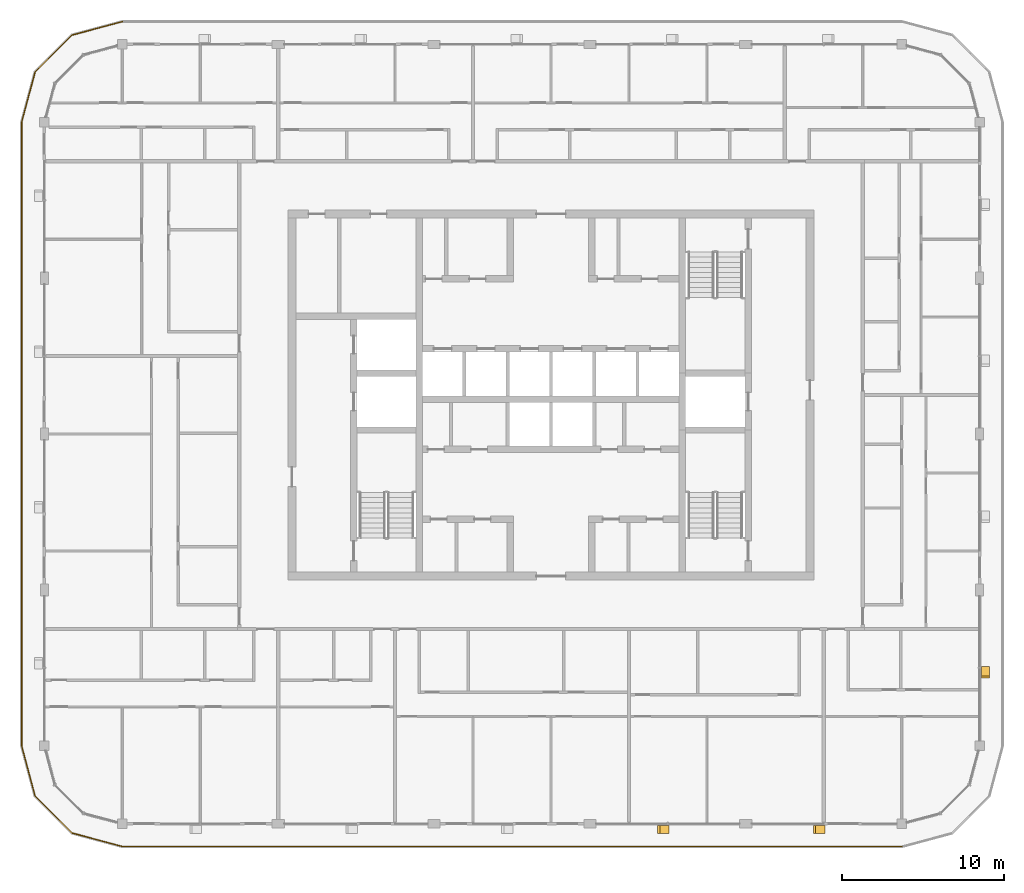
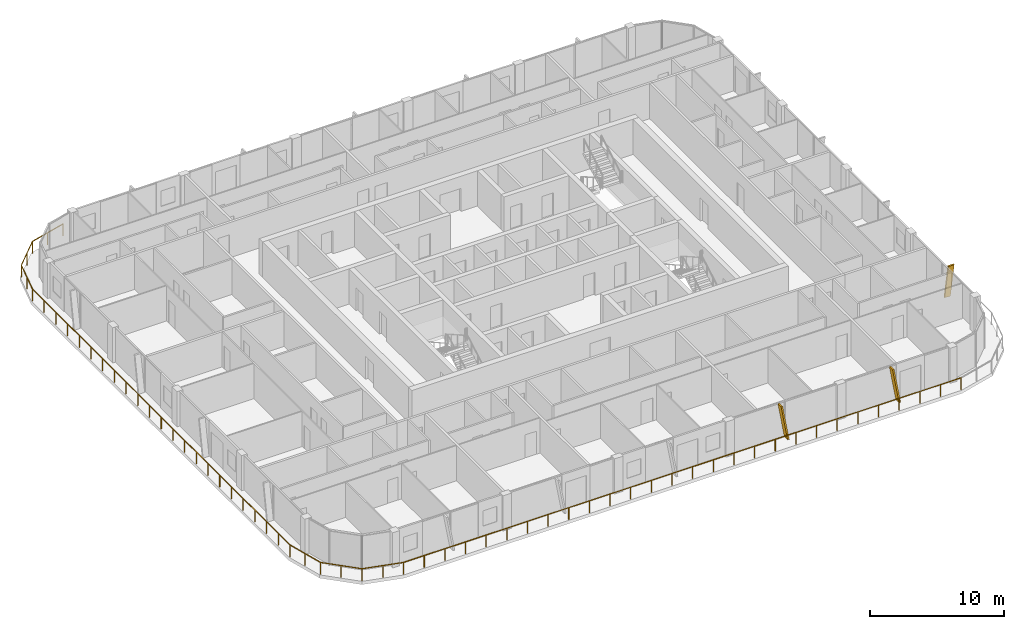
# One storey, part 19 of 22: 3 shading devices, 1 railing.
"""IFC4 building model written with IfcOpenShell, lengths in metres."""

from ifc_helpers import new_model, si_unit, direction, frame, origin, origin_2d, place, context, subcontext, project, spatial, polyline, circle, outline, extrude, material, type_object, element, save


model = new_model("IFC4")

# Units and contexts
model_context = context("Model", 3, precision=1e-05, world=origin(), true_north=direction((0.0, 1.0)))
body_context = subcontext(model_context, "Body", "Model", "MODEL_VIEW")
ifc_project = project(units=[si_unit("LENGTHUNIT", "METRE"), si_unit("AREAUNIT", "SQUARE_METRE"), si_unit("VOLUMEUNIT", "CUBIC_METRE"), si_unit("PLANEANGLEUNIT", "RADIAN"), si_unit("MASSUNIT", "GRAM", prefix="KILO")], contexts=[model_context])

# Site, building, storey
site_placement = place(None, origin())
site = spatial("IfcSite", under=ifc_project, at=site_placement, CompositionType="ELEMENT")
building_placement = place(site_placement, origin())
building = spatial("IfcBuilding", under=site, at=building_placement, Name="Madar Terraces", CompositionType="ELEMENT")
storey_placement = place(building_placement, frame((0.0, 0.0, 279.10009765625)))
storey = spatial("IfcBuildingStorey", under=building, at=storey_placement, Name="L73", CompositionType="ELEMENT", Elevation=279.10009765625)

# Railing
ifc_material_1 = material(Name="Glass, safety glazing, with stainless steel posts", Category="steel")
railing_type = type_object("IfcRailingType", Name="Balcony glass guard 1100", PredefinedType="GUARDRAIL", material=ifc_material_1)
railing_placement = place(storey_placement, frame((4.800048828125, 49.39990234375, 0.0)))
element("IfcRailing", 1, at=railing_placement, inside=storey, type_object=railing_type, Name="Balcony guard", PredefinedType="GUARDRAIL", context=body_context, shape_type="SweptSolid", body=[
    extrude(circle(Radius=0.02392578125, at=origin_2d()), frame((0.0, 0.0, 1.076171875), z_axis=(-0.9659337912, -0.258789317819, 0.0), x_axis=(0.258789317819, -0.9659337912, 0.0)), (0.0, 0.0, 1.0), 3.20947265625),
    extrude(circle(Radius=0.02392578125, at=origin_2d()), frame((-3.10009765625, -0.83056640625, 1.076171875), z_axis=(-0.707106781187, -0.707106781187, 0.0), x_axis=(0.707106781187, -0.707106781187, 0.0)), (0.0, 0.0, 1.0), 3.209228515625),
    extrude(circle(Radius=0.02392578125, at=origin_2d()), frame((-5.369384765625, -3.099853515625, 1.076171875), z_axis=(-0.258789317819, -0.9659337912, 0.0), x_axis=(0.9659337912, -0.258789317819, 0.0)), (0.0, 0.0, 1.0), 3.20947265625),
    extrude(circle(Radius=0.02392578125, at=origin_2d()), frame((-6.199951171875, -6.199951171875, 1.076171875), z_axis=(0.0, -1.0, 0.0), x_axis=(1.0, 0.0, 0.0)), (0.0, 0.0, 1.0), 38.39990234375),
    extrude(circle(Radius=0.02392578125, at=origin_2d()), frame((-6.199951171875, -44.599853515625, 1.076171875), z_axis=(0.258789317819, -0.9659337912, 0.0), x_axis=(0.9659337912, 0.258789317819, 0.0)), (0.0, 0.0, 1.0), 3.20947265625),
    extrude(circle(Radius=0.02392578125, at=origin_2d()), frame((-5.369384765625, -47.699951171875, 1.076171875), z_axis=(0.707106781187, -0.707106781187, 0.0), x_axis=(0.707106781187, 0.707106781187, 0.0)), (0.0, 0.0, 1.0), 3.209228515625),
    extrude(circle(Radius=0.02392578125, at=origin_2d()), frame((-3.10009765625, -49.96923828125, 1.076171875), z_axis=(0.9659337912, -0.258789317819, 0.0), x_axis=(0.258789317819, 0.9659337912, 0.0)), (0.0, 0.0, 1.0), 3.20947265625),
    extrude(circle(Radius=0.02392578125, at=origin_2d()), frame((0.0, -50.7998046875, 1.076171875), z_axis=(1.0, 0.0, 0.0), x_axis=(0.0, 1.0, 0.0)), (0.0, 0.0, 1.0), 48.0),
    extrude(circle(Radius=0.02099609375, at=origin_2d()), origin(), (0.0, 0.0, 1.0), 1.052001953125),
    extrude(circle(Radius=0.02099609375, at=origin_2d()), frame((-1.550048828125, -0.415283203125, 0.0)), (0.0, 0.0, 1.0), 1.052001953125),
    extrude(circle(Radius=0.02099609375, at=origin_2d()), frame((-3.10009765625, -0.83056640625, 0.0)), (0.0, 0.0, 1.0), 1.052001953125),
    extrude(circle(Radius=0.02099609375, at=origin_2d()), frame((-4.23486328125, -1.96533203125, 0.0)), (0.0, 0.0, 1.0), 1.052001953125),
    extrude(circle(Radius=0.02099609375, at=origin_2d()), frame((-5.369384765625, -3.099853515625, 0.0)), (0.0, 0.0, 1.0), 1.052001953125),
    extrude(circle(Radius=0.02099609375, at=origin_2d()), frame((-5.78466796875, -4.64990234375, 0.0)), (0.0, 0.0, 1.0), 1.052001953125),
    extrude(circle(Radius=0.02099609375, at=origin_2d()), frame((-6.199951171875, -6.199951171875, 0.0)), (0.0, 0.0, 1.0), 1.052001953125),
    extrude(circle(Radius=0.02099609375, at=origin_2d()), frame((-6.199951171875, -7.9453125, 0.0)), (0.0, 0.0, 1.0), 1.052001953125),
    extrude(circle(Radius=0.02099609375, at=origin_2d()), frame((-6.199951171875, -9.69091796875, 0.0)), (0.0, 0.0, 1.0), 1.052001953125),
    extrude(circle(Radius=0.02099609375, at=origin_2d()), frame((-6.199951171875, -11.436279296875, 0.0)), (0.0, 0.0, 1.0), 1.052001953125),
    extrude(circle(Radius=0.02099609375, at=origin_2d()), frame((-6.199951171875, -13.181640625, 0.0)), (0.0, 0.0, 1.0), 1.052001953125),
    extrude(circle(Radius=0.02099609375, at=origin_2d()), frame((-6.199951171875, -14.92724609375, 0.0)), (0.0, 0.0, 1.0), 1.052001953125),
    extrude(circle(Radius=0.02099609375, at=origin_2d()), frame((-6.199951171875, -16.672607421875, 0.0)), (0.0, 0.0, 1.0), 1.052001953125),
    extrude(circle(Radius=0.02099609375, at=origin_2d()), frame((-6.199951171875, -18.418212890625, 0.0)), (0.0, 0.0, 1.0), 1.052001953125),
    extrude(circle(Radius=0.02099609375, at=origin_2d()), frame((-6.199951171875, -20.16357421875, 0.0)), (0.0, 0.0, 1.0), 1.052001953125),
    extrude(circle(Radius=0.02099609375, at=origin_2d()), frame((-6.199951171875, -21.908935546875, 0.0)), (0.0, 0.0, 1.0), 1.052001953125),
    extrude(circle(Radius=0.02099609375, at=origin_2d()), frame((-6.199951171875, -23.654541015625, 0.0)), (0.0, 0.0, 1.0), 1.052001953125),
    extrude(circle(Radius=0.02099609375, at=origin_2d()), frame((-6.199951171875, -25.39990234375, 0.0)), (0.0, 0.0, 1.0), 1.052001953125),
    extrude(circle(Radius=0.02099609375, at=origin_2d()), frame((-6.199951171875, -27.145263671875, 0.0)), (0.0, 0.0, 1.0), 1.052001953125),
    extrude(circle(Radius=0.02099609375, at=origin_2d()), frame((-6.199951171875, -28.890869140625, 0.0)), (0.0, 0.0, 1.0), 1.052001953125),
    extrude(circle(Radius=0.02099609375, at=origin_2d()), frame((-6.199951171875, -30.63623046875, 0.0)), (0.0, 0.0, 1.0), 1.052001953125),
    extrude(circle(Radius=0.02099609375, at=origin_2d()), frame((-6.199951171875, -32.381591796875, 0.0)), (0.0, 0.0, 1.0), 1.052001953125),
    extrude(circle(Radius=0.02099609375, at=origin_2d()), frame((-6.199951171875, -34.127197265625, 0.0)), (0.0, 0.0, 1.0), 1.052001953125),
    extrude(circle(Radius=0.02099609375, at=origin_2d()), frame((-6.199951171875, -35.87255859375, 0.0)), (0.0, 0.0, 1.0), 1.052001953125),
    extrude(circle(Radius=0.02099609375, at=origin_2d()), frame((-6.199951171875, -37.6181640625, 0.0)), (0.0, 0.0, 1.0), 1.052001953125),
    extrude(circle(Radius=0.02099609375, at=origin_2d()), frame((-6.199951171875, -39.363525390625, 0.0)), (0.0, 0.0, 1.0), 1.052001953125),
    extrude(circle(Radius=0.02099609375, at=origin_2d()), frame((-6.199951171875, -41.10888671875, 0.0)), (0.0, 0.0, 1.0), 1.052001953125),
    extrude(circle(Radius=0.02099609375, at=origin_2d()), frame((-6.199951171875, -42.8544921875, 0.0)), (0.0, 0.0, 1.0), 1.052001953125),
    extrude(circle(Radius=0.02099609375, at=origin_2d()), frame((-6.199951171875, -44.599853515625, 0.0)), (0.0, 0.0, 1.0), 1.052001953125),
    extrude(circle(Radius=0.02099609375, at=origin_2d()), frame((-5.78466796875, -46.14990234375, 0.0)), (0.0, 0.0, 1.0), 1.052001953125),
    extrude(circle(Radius=0.02099609375, at=origin_2d()), frame((-5.369384765625, -47.699951171875, 0.0)), (0.0, 0.0, 1.0), 1.052001953125),
    extrude(circle(Radius=0.02099609375, at=origin_2d()), frame((-4.23486328125, -48.83447265625, 0.0)), (0.0, 0.0, 1.0), 1.052001953125),
    extrude(circle(Radius=0.02099609375, at=origin_2d()), frame((-3.10009765625, -49.96923828125, 0.0)), (0.0, 0.0, 1.0), 1.052001953125),
    extrude(circle(Radius=0.02099609375, at=origin_2d()), frame((-1.550048828125, -50.384521484375, 0.0)), (0.0, 0.0, 1.0), 1.052001953125),
    extrude(circle(Radius=0.02099609375, at=origin_2d()), frame((0.0, -50.7998046875, 0.0)), (0.0, 0.0, 1.0), 1.052001953125),
    extrude(circle(Radius=0.02099609375, at=origin_2d()), frame((1.77783203125, -50.7998046875, 0.0)), (0.0, 0.0, 1.0), 1.052001953125),
    extrude(circle(Radius=0.02099609375, at=origin_2d()), frame((3.5556640625, -50.7998046875, 0.0)), (0.0, 0.0, 1.0), 1.052001953125),
    extrude(circle(Radius=0.02099609375, at=origin_2d()), frame((5.333251953125, -50.7998046875, 0.0)), (0.0, 0.0, 1.0), 1.052001953125),
    extrude(circle(Radius=0.02099609375, at=origin_2d()), frame((7.111083984375, -50.7998046875, 0.0)), (0.0, 0.0, 1.0), 1.052001953125),
    extrude(circle(Radius=0.02099609375, at=origin_2d()), frame((8.888916015625, -50.7998046875, 0.0)), (0.0, 0.0, 1.0), 1.052001953125),
    extrude(circle(Radius=0.02099609375, at=origin_2d()), frame((10.666748046875, -50.7998046875, 0.0)), (0.0, 0.0, 1.0), 1.052001953125),
    extrude(circle(Radius=0.02099609375, at=origin_2d()), frame((12.4443359375, -50.7998046875, 0.0)), (0.0, 0.0, 1.0), 1.052001953125),
    extrude(circle(Radius=0.02099609375, at=origin_2d()), frame((14.22216796875, -50.7998046875, 0.0)), (0.0, 0.0, 1.0), 1.052001953125),
    extrude(circle(Radius=0.02099609375, at=origin_2d()), frame((16.0, -50.7998046875, 0.0)), (0.0, 0.0, 1.0), 1.052001953125),
    extrude(circle(Radius=0.02099609375, at=origin_2d()), frame((17.77783203125, -50.7998046875, 0.0)), (0.0, 0.0, 1.0), 1.052001953125),
    extrude(circle(Radius=0.02099609375, at=origin_2d()), frame((19.5556640625, -50.7998046875, 0.0)), (0.0, 0.0, 1.0), 1.052001953125),
    extrude(circle(Radius=0.02099609375, at=origin_2d()), frame((21.333251953125, -50.7998046875, 0.0)), (0.0, 0.0, 1.0), 1.052001953125),
    extrude(circle(Radius=0.02099609375, at=origin_2d()), frame((23.111083984375, -50.7998046875, 0.0)), (0.0, 0.0, 1.0), 1.052001953125),
    extrude(circle(Radius=0.02099609375, at=origin_2d()), frame((24.888916015625, -50.7998046875, 0.0)), (0.0, 0.0, 1.0), 1.052001953125),
    extrude(circle(Radius=0.02099609375, at=origin_2d()), frame((26.666748046875, -50.7998046875, 0.0)), (0.0, 0.0, 1.0), 1.052001953125),
    extrude(circle(Radius=0.02099609375, at=origin_2d()), frame((28.4443359375, -50.7998046875, 0.0)), (0.0, 0.0, 1.0), 1.052001953125),
    extrude(circle(Radius=0.02099609375, at=origin_2d()), frame((30.22216796875, -50.7998046875, 0.0)), (0.0, 0.0, 1.0), 1.052001953125),
    extrude(circle(Radius=0.02099609375, at=origin_2d()), frame((32.0, -50.7998046875, 0.0)), (0.0, 0.0, 1.0), 1.052001953125),
    extrude(circle(Radius=0.02099609375, at=origin_2d()), frame((33.77783203125, -50.7998046875, 0.0)), (0.0, 0.0, 1.0), 1.052001953125),
    extrude(circle(Radius=0.02099609375, at=origin_2d()), frame((35.5556640625, -50.7998046875, 0.0)), (0.0, 0.0, 1.0), 1.052001953125),
    extrude(circle(Radius=0.02099609375, at=origin_2d()), frame((37.333251953125, -50.7998046875, 0.0)), (0.0, 0.0, 1.0), 1.052001953125),
    extrude(circle(Radius=0.02099609375, at=origin_2d()), frame((39.111083984375, -50.7998046875, 0.0)), (0.0, 0.0, 1.0), 1.052001953125),
    extrude(circle(Radius=0.02099609375, at=origin_2d()), frame((40.888916015625, -50.7998046875, 0.0)), (0.0, 0.0, 1.0), 1.052001953125),
    extrude(circle(Radius=0.02099609375, at=origin_2d()), frame((42.666748046875, -50.7998046875, 0.0)), (0.0, 0.0, 1.0), 1.052001953125),
    extrude(circle(Radius=0.02099609375, at=origin_2d()), frame((44.4443359375, -50.7998046875, 0.0)), (0.0, 0.0, 1.0), 1.052001953125),
    extrude(circle(Radius=0.02099609375, at=origin_2d()), frame((46.22216796875, -50.7998046875, 0.0)), (0.0, 0.0, 1.0), 1.052001953125),
    extrude(circle(Radius=0.02099609375, at=origin_2d()), frame((48.0, -50.7998046875, 0.0)), (0.0, 0.0, 1.0), 1.052001953125),
])

# Shading devices
ifc_material_2 = material(Name="Aluminium, black anodised", Category="aluminium")
shading_device_type = type_object("IfcShadingDeviceType", Name="Facade fin blade 140 x 500", PredefinedType="USERDEFINED", material=ifc_material_2)
shading_device_1_placement = place(storey_placement, frame((38.330078125, -0.35009765625, 0.0), z_axis=(0.0, 0.0, 1.0), x_axis=(1.0, 0.0, 0.0)))
element("IfcShadingDevice", 2, at=shading_device_1_placement, inside=storey, type_object=shading_device_type, Name="FIN L73 S4", ObjectType="FIN", PredefinedType="USERDEFINED", context=body_context, shape_type="SweptSolid", body=[
    extrude(outline(polyline([(0.0, 0.0), (0.139892578125, 0.0), (-0.42431640625, 3.199951171875), (-0.564208984375, 3.199951171875), (0.0, 0.0)])), frame((0.0, 0.25, 0.0), z_axis=(0.0, -1.0, 0.0), x_axis=(1.0, 0.0, 0.0)), (0.0, 0.0, 1.0), 0.5),
])
shading_device_2_placement = place(storey_placement, frame((47.929931640625, -0.35009765625, 0.0), z_axis=(0.0, 0.0, 1.0), x_axis=(1.0, 0.0, 0.0)))
element("IfcShadingDevice", 3, at=shading_device_2_placement, inside=storey, type_object=shading_device_type, Name="FIN L73 S5", ObjectType="FIN", PredefinedType="USERDEFINED", context=body_context, shape_type="SweptSolid", body=[
    extrude(outline(polyline([(0.0, 0.0), (0.14013671875, 0.0), (-0.42431640625, 3.199951171875), (-0.564208984375, 3.199951171875), (0.0, 0.0)])), frame((0.0, 0.25, 0.0), z_axis=(0.0, -1.0, 0.0), x_axis=(1.0, 0.0, 0.0)), (0.0, 0.0, 1.0), 0.5),
])
shading_device_3_placement = place(storey_placement, frame((57.949951171875, 9.530029296875, 0.0), z_axis=(0.0, 0.0, 1.0), x_axis=(0.0, 1.0, 0.0)))
element("IfcShadingDevice", 4, at=shading_device_3_placement, inside=storey, type_object=shading_device_type, Name="FIN L73 E1", ObjectType="FIN", PredefinedType="USERDEFINED", context=body_context, shape_type="SweptSolid", body=[
    extrude(outline(polyline([(0.0, 0.0), (0.139892578125, 0.0), (-0.42431640625, 3.199951171875), (-0.564208984375, 3.199951171875), (0.0, 0.0)])), frame((0.0, 0.25, 0.0), z_axis=(0.0, -1.0, 0.0), x_axis=(1.0, 0.0, 0.0)), (0.0, 0.0, 1.0), 0.5),
])

save(model, "model.ifc")
